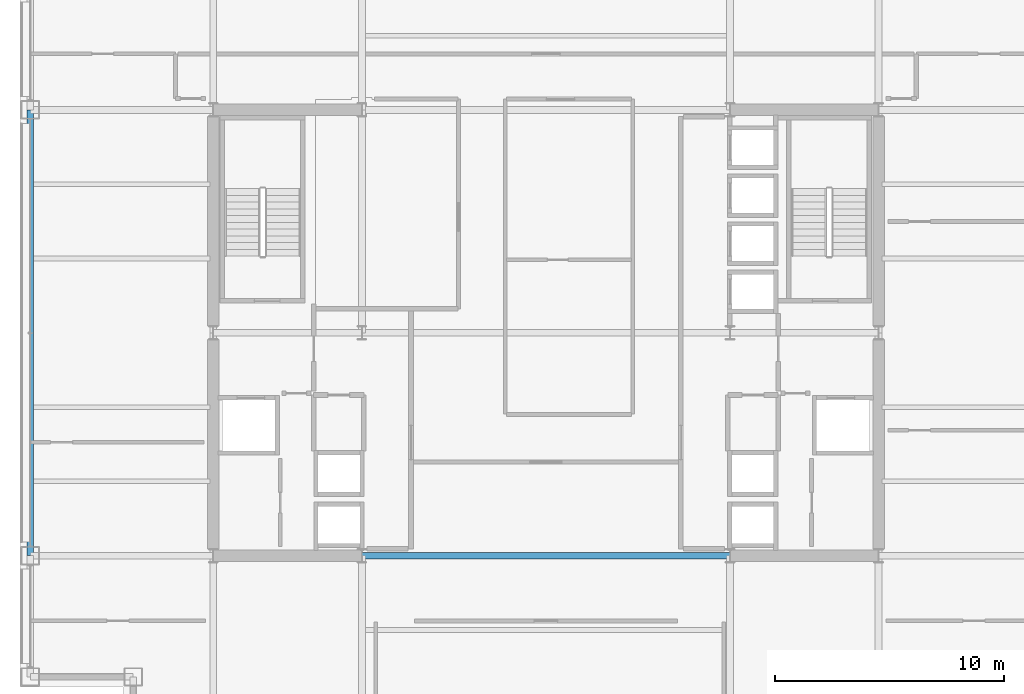
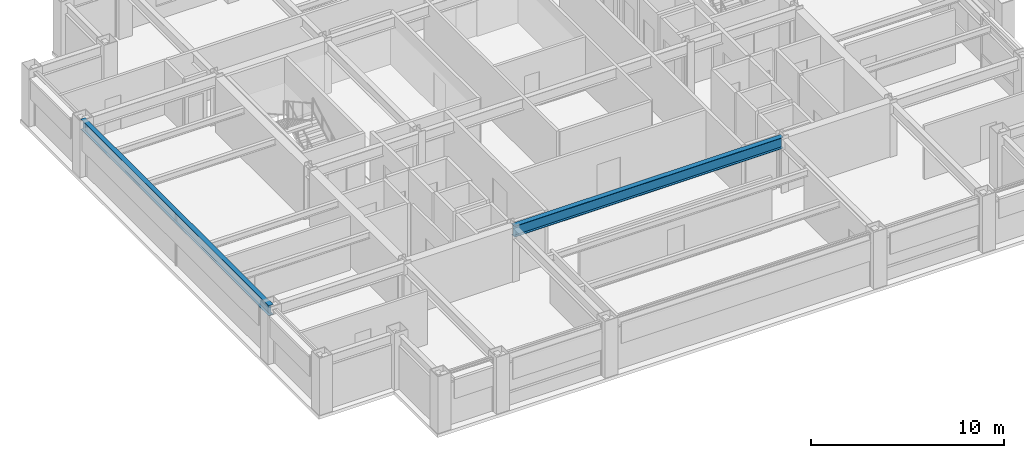
# One storey, part 7 of 29: 2 beams.
"""IFC4 building model written with IfcOpenShell, lengths in metres."""

from ifc_helpers import new_model, si_unit, direction, frame, origin, origin_2d, place, context, subcontext, project, spatial, i_section, extrude, material, material_profile, profile_set, type_object, element, save


model = new_model("IFC4")

# Units and contexts
model_context = context("Model", 3, precision=1e-05, world=origin(), true_north=direction((0.0, 1.0)))
body_context = subcontext(model_context, "Body", "Model", "MODEL_VIEW")
ifc_project = project(units=[si_unit("LENGTHUNIT", "METRE"), si_unit("AREAUNIT", "SQUARE_METRE"), si_unit("VOLUMEUNIT", "CUBIC_METRE"), si_unit("PLANEANGLEUNIT", "RADIAN"), si_unit("MASSUNIT", "GRAM", prefix="KILO")], contexts=[model_context])

# Site, building, storey
site_placement = place(None, origin())
site = spatial("IfcSite", under=ifc_project, at=site_placement, CompositionType="ELEMENT")
building_placement = place(site_placement, origin())
building = spatial("IfcBuilding", under=site, at=building_placement, Name="Brelmoor Portico Tower", CompositionType="ELEMENT")
storey_placement = place(building_placement, frame((0.0, 0.0, 124.199951171875)))
storey = spatial("IfcBuildingStorey", under=building, at=storey_placement, Name="L32", CompositionType="ELEMENT", Elevation=124.199951171875)

# Beams
ifc_material = material(Name="Steel Q355B", Category="steel")
ifc_material_profile_1 = material_profile(ifc_material, i_section(OverallWidth=0.300048828125, OverallDepth=0.699951171875, WebThickness=0.012939453125, FlangeThickness=0.02392578125, at=origin_2d()), Name="HN 700x300x13x24")
ifc_profile_set_1 = profile_set([ifc_material_profile_1], Name="Steel Q355B")
beam_type_1 = type_object("IfcBeamType", Name="BM-PG-700", PredefinedType="BEAM", material=ifc_profile_set_1)
beam_1_placement = place(storey_placement, frame((-8.050048828125, -9.75, 3.050048828125), z_axis=(1.0, 0.0, 0.0), x_axis=(0.0, 1.0, 0.0)))
element("IfcBeam", 1, at=beam_1_placement, inside=storey, type_object=beam_type_1, Name="L32 Primary Floor Girder PG-16", PredefinedType="BEAM", context=body_context, shape_type="SweptSolid", body=[
    extrude(i_section(OverallWidth=0.300048828125, OverallDepth=0.699951171875, WebThickness=0.012939453125, FlangeThickness=0.02392578125, at=origin_2d()), origin(), (0.0, 0.0, 1.0), 16.10009765625),
])
ifc_material_profile_2 = material_profile(ifc_material, i_section(OverallWidth=0.280029296875, OverallDepth=0.64990234375, WebThickness=0.012939453125, FlangeThickness=0.02197265625, at=origin_2d()), Name="HN 650x280x13x22")
ifc_profile_set_2 = profile_set([ifc_material_profile_2], Name="Steel Q355B")
beam_type_2 = type_object("IfcBeamType", Name="BM-SP-650", PredefinedType="SPANDREL", material=ifc_profile_set_2)
beam_2_placement = place(storey_placement, frame((-22.550048828125, -9.75, 3.074951171875), z_axis=(0.0, 1.0, 0.0), x_axis=(-1.0, 0.0, 0.0)))
element("IfcBeam", 2, at=beam_2_placement, inside=storey, type_object=beam_type_2, Name="L32 Perimeter Spandrel Beam SP-16", PredefinedType="SPANDREL", context=body_context, shape_type="SweptSolid", body=[
    extrude(i_section(OverallWidth=0.280029296875, OverallDepth=0.64990234375, WebThickness=0.012939453125, FlangeThickness=0.02197265625, at=origin_2d()), origin(), (0.0, 0.0, 1.0), 19.5),
])

save(model, "model.ifc")
